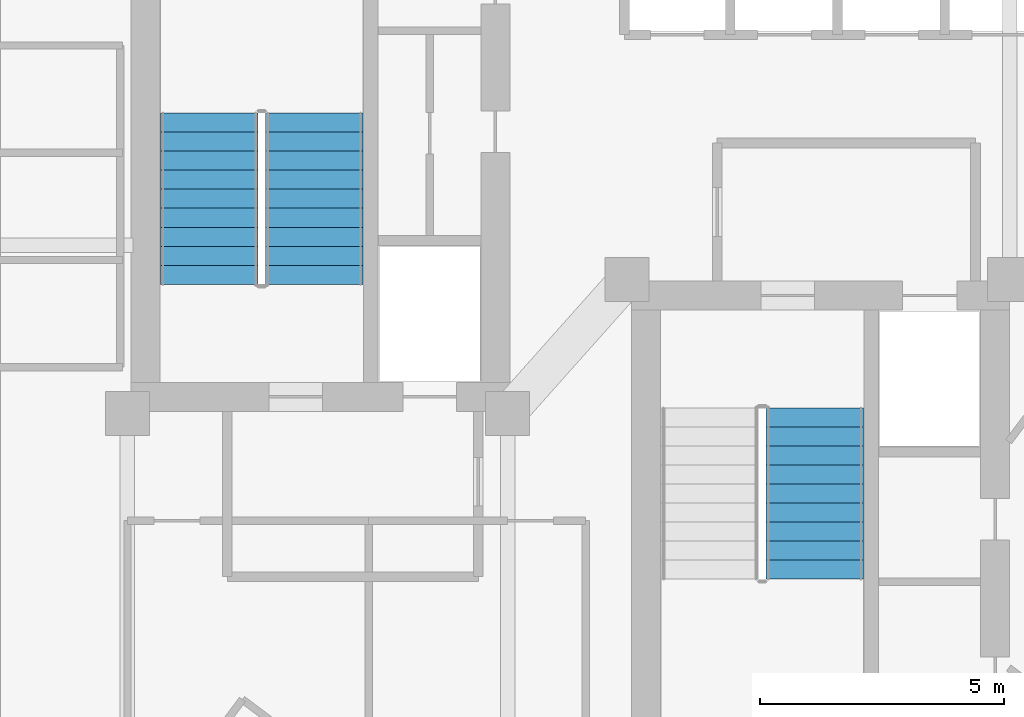
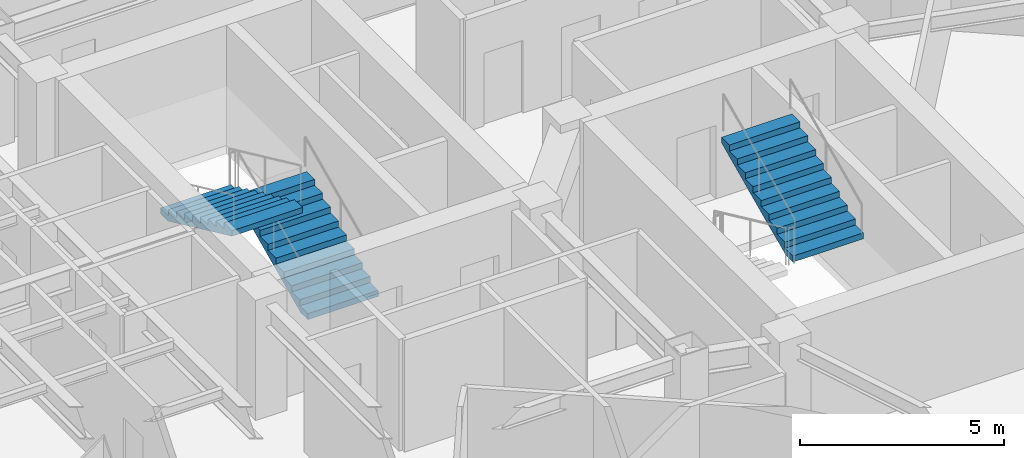
# One storey, part 24 of 27: 3 stair flights, 2 elements without a shape of their own.
"""IFC4 building model written with IfcOpenShell, lengths in metres."""

from ifc_helpers import new_model, si_unit, direction, frame, origin, place, context, subcontext, project, spatial, polyline, outline, extrude, material, type_object, element, aggregate, save


model = new_model("IFC4")

# Units and contexts
model_context = context("Model", 3, precision=1e-05, world=origin(), true_north=direction((0.0, 1.0)))
body_context = subcontext(model_context, "Body", "Model", "MODEL_VIEW")
ifc_project = project(units=[si_unit("LENGTHUNIT", "METRE"), si_unit("AREAUNIT", "SQUARE_METRE"), si_unit("VOLUMEUNIT", "CUBIC_METRE"), si_unit("PLANEANGLEUNIT", "RADIAN"), si_unit("MASSUNIT", "GRAM", prefix="KILO")], contexts=[model_context])

# Site, building, storey
site_placement = place(None, origin())
site = spatial("IfcSite", under=ifc_project, at=site_placement, CompositionType="ELEMENT")
building_placement = place(site_placement, origin())
building = spatial("IfcBuilding", under=site, at=building_placement, Name="Hatsunagi Terrace Concourse", CompositionType="ELEMENT")
storey_placement = place(building_placement, frame((0.0, 0.0, 174.449951171875)))
storey = spatial("IfcBuildingStorey", under=building, at=storey_placement, Name="L46", CompositionType="ELEMENT", Elevation=174.449951171875)

# Stair, stair flights
ifc_material_1 = material(Name="Concrete Fc42", Category="concrete")
stair_type = type_object("IfcStairType", Name="DoglegExitStair_Tower2000_20R_180", PredefinedType="HALF_TURN_STAIR", material=ifc_material_1)
stair_1_placement = place(storey_placement, origin())
stair_1 = element("IfcStair", 1, at=stair_1_placement, inside=storey, type_object=stair_type, Name="L46 Core A Protected Exit Stair ST-A", PredefinedType="HALF_TURN_STAIR")
ifc_material_2 = material(Name="Concrete Fc42", Category="concrete")
stair_flight_type = type_object("IfcStairFlightType", Name="DoglegStairFlight_Tower2000_20R_180", PredefinedType="STRAIGHT", material=ifc_material_2)
stair_flight_1_placement = place(storey_placement, frame((29.3798828125, 35.199951171875, 0.0), z_axis=(0.0, 0.0, 1.0), x_axis=(0.0, 1.0, 0.0)))
stair_flight_1 = element("IfcStairFlight", 2, at=stair_flight_1_placement, type_object=stair_flight_type, Name="ST-A flight 1", NumberOfRisers=10, NumberOfTreads=9, PredefinedType="STRAIGHT", RiserHeight=0.18, TreadLength=0.39, context=body_context, shape_type="SweptSolid", body=[
    extrude(outline(polyline([(0.0, 0.0), (0.0, 0.179931640625), (0.389892578125, 0.179931640625), (0.389892578125, 0.360107421875), (0.780029296875, 0.360107421875), (0.780029296875, 0.5400390625), (1.169921875, 0.5400390625), (1.169921875, 0.719970703125), (1.56005859375, 0.719970703125), (1.56005859375, 0.89990234375), (1.949951171875, 0.89990234375), (1.949951171875, 1.080078125), (2.340087890625, 1.080078125), (2.340087890625, 1.260009765625), (2.72998046875, 1.260009765625), (2.72998046875, 1.43994140625), (3.1201171875, 1.43994140625), (3.1201171875, 1.6201171875), (3.510009765625, 1.6201171875), (3.510009765625, 1.800048828125), (3.510009765625, 1.454833984375), (0.357666015625, 0.0), (0.0, 0.0)])), frame((0.0, 1.0, 0.0), z_axis=(0.0, -1.0, 0.0), x_axis=(1.0, 0.0, 0.0)), (0.0, 0.0, 1.0), 2.0),
])
stair_flight_2_placement = place(storey_placement, frame((27.22998046875, 38.7099609375, 1.800048828125), z_axis=(0.0, 0.0, 1.0), x_axis=(0.0, -1.0, 0.0)))
stair_flight_2 = element("IfcStairFlight", 3, at=stair_flight_2_placement, type_object=stair_flight_type, Name="ST-A flight 2", NumberOfRisers=10, NumberOfTreads=9, PredefinedType="STRAIGHT", RiserHeight=0.18, TreadLength=0.39, context=body_context, shape_type="SweptSolid", body=[
    extrude(outline(polyline([(0.0, 0.0), (0.0, 0.179931640625), (0.389892578125, 0.179931640625), (0.389892578125, 0.360107421875), (0.780029296875, 0.360107421875), (0.780029296875, 0.5400390625), (1.169921875, 0.5400390625), (1.169921875, 0.719970703125), (1.56005859375, 0.719970703125), (1.56005859375, 0.89990234375), (1.949951171875, 0.89990234375), (1.949951171875, 1.080078125), (2.340087890625, 1.080078125), (2.340087890625, 1.260009765625), (2.72998046875, 1.260009765625), (2.72998046875, 1.43994140625), (3.1201171875, 1.43994140625), (3.1201171875, 1.6201171875), (3.510009765625, 1.6201171875), (3.510009765625, 1.800048828125), (3.510009765625, 1.454833984375), (0.357666015625, 0.0), (0.0, 0.0)])), frame((0.0, 1.0, 0.0), z_axis=(0.0, -1.0, 0.0), x_axis=(1.0, 0.0, 0.0)), (0.0, 0.0, 1.0), 2.0),
])
aggregate(stair_1, [stair_flight_1, stair_flight_2])

# Stair, stair flight
stair_2_placement = place(storey_placement, origin())
stair_2 = element("IfcStair", 4, at=stair_2_placement, inside=storey, type_object=stair_type, Name="L46 Core B Protected Exit Stair ST-B", PredefinedType="HALF_TURN_STAIR")
stair_flight_3_placement = place(storey_placement, frame((39.64990234375, 29.14990234375, 1.800048828125), z_axis=(0.0, 0.0, 1.0), x_axis=(0.0, 1.0, 0.0)))
stair_flight_3 = element("IfcStairFlight", 5, at=stair_flight_3_placement, type_object=stair_flight_type, Name="ST-B flight 2", NumberOfRisers=10, NumberOfTreads=9, PredefinedType="STRAIGHT", RiserHeight=0.18, TreadLength=0.39, context=body_context, shape_type="SweptSolid", body=[
    extrude(outline(polyline([(0.0, 0.0), (0.0, 0.179931640625), (0.389892578125, 0.179931640625), (0.389892578125, 0.360107421875), (0.780029296875, 0.360107421875), (0.780029296875, 0.5400390625), (1.169921875, 0.5400390625), (1.169921875, 0.719970703125), (1.56005859375, 0.719970703125), (1.56005859375, 0.89990234375), (1.949951171875, 0.89990234375), (1.949951171875, 1.080078125), (2.340087890625, 1.080078125), (2.340087890625, 1.260009765625), (2.72998046875, 1.260009765625), (2.72998046875, 1.43994140625), (3.1201171875, 1.43994140625), (3.1201171875, 1.6201171875), (3.510009765625, 1.6201171875), (3.510009765625, 1.800048828125), (3.510009765625, 1.454833984375), (0.357666015625, 0.0), (0.0, 0.0)])), frame((0.0, 1.0, 0.0), z_axis=(0.0, -1.0, 0.0), x_axis=(1.0, 0.0, 0.0)), (0.0, 0.0, 1.0), 2.0),
])
aggregate(stair_2, [stair_flight_3])

save(model, "model.ifc")
